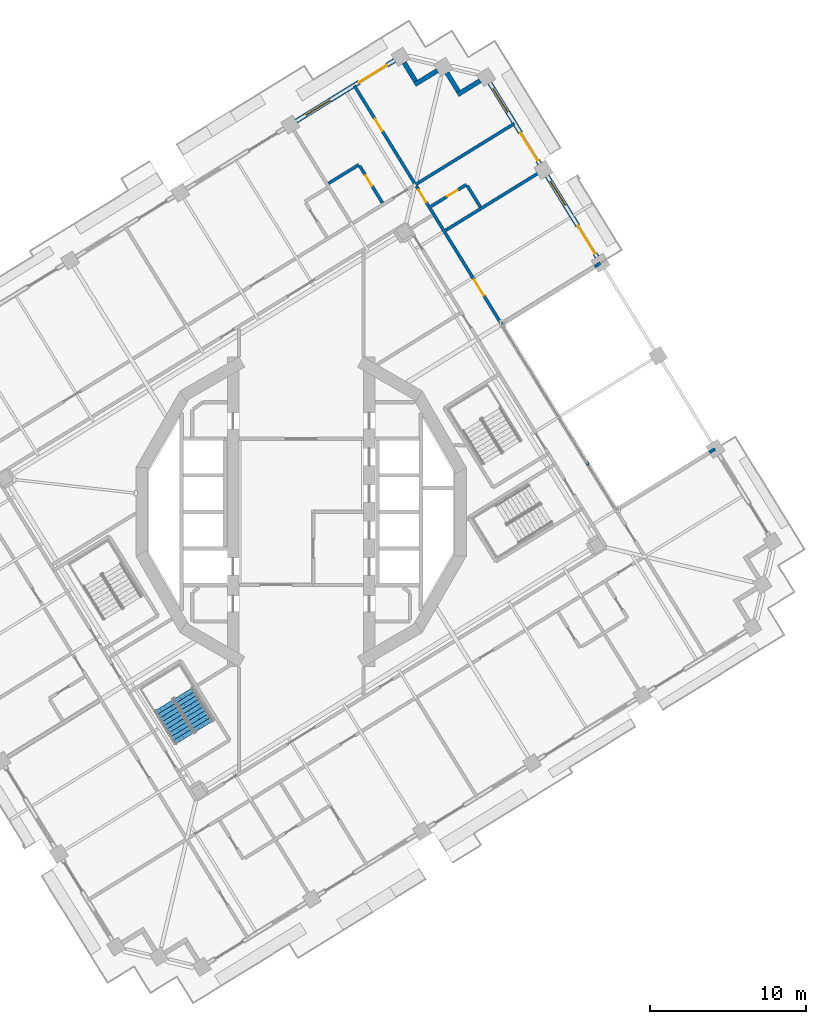
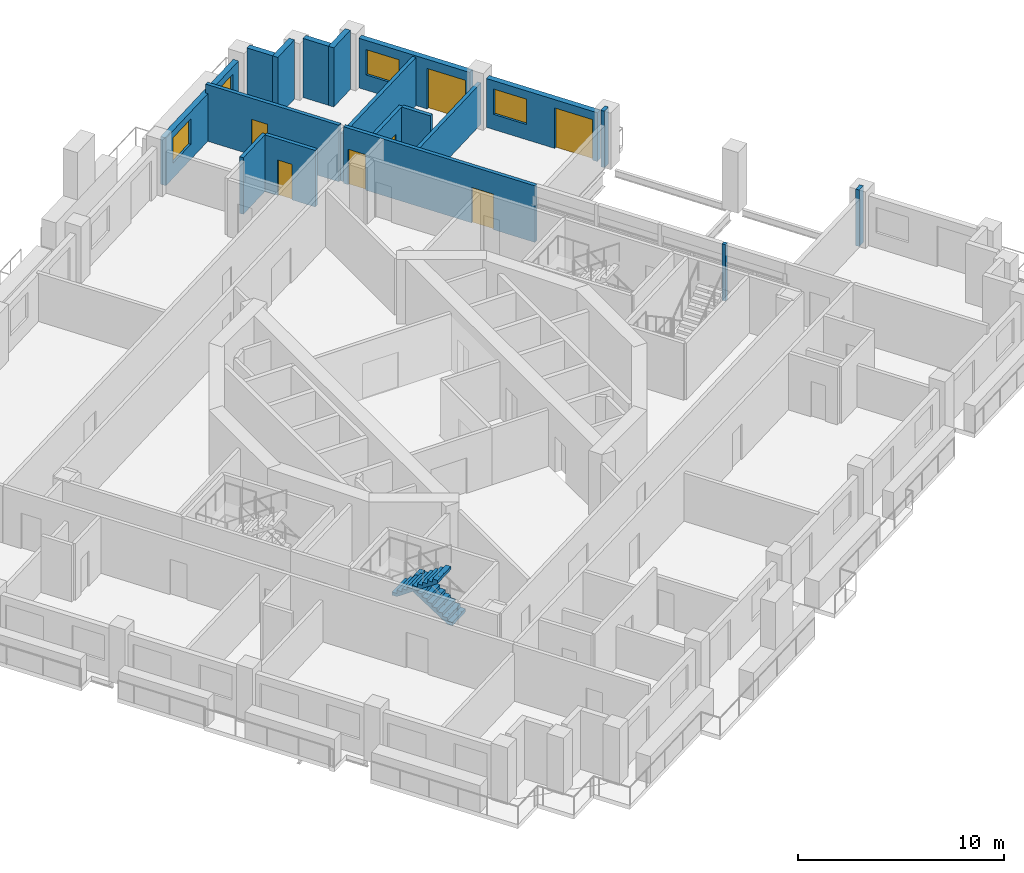
# One storey, part 12 of 21: 18 walls, 8 doors, 3 windows, 2 stair flights, 11 openings, 1 element without a shape of its own.
"""IFC4 building model written with IfcOpenShell, lengths in metres."""

from ifc_helpers import new_model, si_unit, direction, frame, frame_2d, origin, place, context, subcontext, project, spatial, polyline, rectangle, outline, extrude, material, layer, layer_set, type_object, element, fill, aggregate, save


model = new_model("IFC4")

# Units and contexts
model_context = context("Model", 3, precision=1e-05, world=origin(), true_north=direction((0.0, 1.0)))
body_context = subcontext(model_context, "Body", "Model", "MODEL_VIEW")
ifc_project = project(units=[si_unit("LENGTHUNIT", "METRE"), si_unit("AREAUNIT", "SQUARE_METRE"), si_unit("VOLUMEUNIT", "CUBIC_METRE"), si_unit("PLANEANGLEUNIT", "RADIAN"), si_unit("MASSUNIT", "GRAM", prefix="KILO")], contexts=[model_context])

# Site, building, storey
site_placement = place(None, origin())
site = spatial("IfcSite", under=ifc_project, at=site_placement, CompositionType="ELEMENT")
building_placement = place(site_placement, origin())
building = spatial("IfcBuilding", under=site, at=building_placement, Name="Cantera Rosa Tower", CompositionType="ELEMENT")
storey_placement = place(building_placement, frame((0.0, 0.0, 185.60009765625)))
storey = spatial("IfcBuildingStorey", under=building, at=storey_placement, Name="L41", CompositionType="ELEMENT", Elevation=185.60009765625)

# Wall
ifc_material_1 = material(Name="Gypsum board partition")
ifc_layer_1 = layer(ifc_material_1, 0.199951171875)
ifc_layer_set_1 = layer_set([ifc_layer_1], Name="CORRIDOR WALL 200 H3350")
wall_type_1 = type_object("IfcWallType", Name="CORRIDOR WALL 200 H3350", PredefinedType="PARTITIONING", material=ifc_layer_set_1)
wall_1_placement = place(storey_placement, frame((18.460693359375, 3.024658203125, 0.0), z_axis=(0.0, 0.0, 1.0), x_axis=(-0.525921400604, 0.850533174183, 0.0)))
element("IfcWall", 1, at=wall_1_placement, inside=storey, type_object=wall_type_1, Name="CORRIDOR WALL L41-113", PredefinedType="PARTITIONING", context=body_context, shape_type="SweptSolid", body=[
    extrude(rectangle(XDim=0.194091796875, YDim=0.199951171875, at=frame_2d((0.09716796875, 0.0))), origin(), (0.0, 0.0, 1.0), 3.349853515625),
])

# Wall, openings, doors
wall_2_placement = place(storey_placement, frame((12.947265625, 11.963134765625, 0.0), z_axis=(0.0, 0.0, 1.0), x_axis=(-0.524974245297, 0.851118112705, 0.0)))
wall_2 = element("IfcWall", 2, at=wall_2_placement, inside=storey, type_object=wall_type_1, Name="CORRIDOR WALL L41-116", PredefinedType="PARTITIONING", context=body_context, shape_type="SweptSolid", body=[
    extrude(rectangle(XDim=10.545166015625, YDim=0.199951171875, at=frame_2d((5.2724609375, 0.0))), origin(), (0.0, 0.0, 1.0), 3.349853515625),
])
opening_1_placement = place(wall_2_placement, frame((2.284912109375, 0.0, 0.0)))
opening_1 = element("IfcOpeningElement", 3, at=opening_1_placement, cuts=wall_2, Name="Opening L41-020", PredefinedType="OPENING", context=body_context, shape_type="SweptSolid", body=[
    extrude(rectangle(XDim=1.199951171875, YDim=2.10009765625, at=frame_2d((0.60009765625, 1.050048828125))), frame((0.0, 0.10986328125, 0.0), z_axis=(0.0, -1.0, 0.0), x_axis=(1.0, 0.0, 0.0)), (0.0, 0.0, 1.0), 0.219970703125),
])
opening_2_placement = place(wall_2_placement, frame((9.330078125, 0.0, 0.0)))
opening_2 = element("IfcOpeningElement", 4, at=opening_2_placement, cuts=wall_2, Name="Opening L41-021", PredefinedType="OPENING", context=body_context, shape_type="SweptSolid", body=[
    extrude(rectangle(XDim=0.949951171875, YDim=2.10009765625, at=frame_2d((0.47509765625, 1.050048828125))), frame((0.0, 0.10986328125, 0.0), z_axis=(0.0, -1.0, 0.0), x_axis=(1.0, 0.0, 0.0)), (0.0, 0.0, 1.0), 0.219970703125),
])
ifc_material_2 = material(Name="Timber door leaf", Category="wood")
door_type_1 = type_object("IfcDoorType", Name="ROOM DOOR 1200x2100", OperationType="NOTDEFINED", PredefinedType="DOOR", material=ifc_material_2)
door_1_placement = place(opening_1_placement, origin())
door_1 = element("IfcDoor", 5, at=door_1_placement, inside=storey, type_object=door_type_1, Name="DOOR L41-020", OperationType="NOTDEFINED", OverallHeight=2.10009765625, OverallWidth=1.199951171875, PredefinedType="DOOR", context=body_context, shape_type="SweptSolid", body=[
    extrude(rectangle(XDim=1.199951171875, YDim=2.10009765625, at=frame_2d((0.60009765625, 1.050048828125))), frame((0.0, 0.02490234375, 0.0), z_axis=(0.0, -1.0, 0.0), x_axis=(1.0, 0.0, 0.0)), (0.0, 0.0, 1.0), 0.050048828125),
])
fill(opening_1, door_1)
ifc_material_3 = material(Name="Timber door leaf", Category="wood")
door_type_2 = type_object("IfcDoorType", Name="ROOM DOOR 950x2100", OperationType="NOTDEFINED", PredefinedType="DOOR", material=ifc_material_3)
door_2_placement = place(opening_2_placement, origin())
door_2 = element("IfcDoor", 6, at=door_2_placement, inside=storey, type_object=door_type_2, Name="DOOR L41-021", OperationType="NOTDEFINED", OverallHeight=2.10009765625, OverallWidth=0.949951171875, PredefinedType="DOOR", context=body_context, shape_type="SweptSolid", body=[
    extrude(rectangle(XDim=0.949951171875, YDim=2.10009765625, at=frame_2d((0.47509765625, 1.050048828125))), frame((0.0, 0.02490234375, 0.0), z_axis=(0.0, -1.0, 0.0), x_axis=(1.0, 0.0, 0.0)), (0.0, 0.0, 1.0), 0.050048828125),
])
fill(opening_2, door_2)

# Walls
ifc_material_4 = material(Name="Hollow clay masonry with cantera stone cladding", Category="masonry")
ifc_layer_2 = layer(ifc_material_4, 0.300048828125)
ifc_layer_set_2 = layer_set([ifc_layer_2], Name="EW-LOGGIA 300")
wall_type_2 = type_object("IfcWallType", Name="EW-LOGGIA 300", PredefinedType="SOLIDWALL", material=ifc_layer_set_2)
wall_3_placement = place(storey_placement, frame((11.51123046875, 27.72021484375, 0.0), z_axis=(0.0, 0.0, 1.0), x_axis=(-0.851130227454, -0.524954603669, 0.0)))
element("IfcWall", 7, at=wall_3_placement, inside=storey, type_object=wall_type_2, Name="EN-L41-W06a", PredefinedType="SOLIDWALL", context=body_context, shape_type="SweptSolid", body=[
    extrude(rectangle(XDim=1.699951171875, YDim=0.300048828125, at=frame_2d((0.85009765625, 0.0))), origin(), (0.0, 0.0, 1.0), 3.5),
])
wall_4_placement = place(storey_placement, frame((10.11328125, 27.0341796875, 0.0), z_axis=(0.0, 0.0, 1.0), x_axis=(-0.524895019961, 0.85116697423, 0.0)))
element("IfcWall", 8, at=wall_4_placement, inside=storey, type_object=wall_type_2, Name="EN-L41-W06b", PredefinedType="SOLIDWALL", context=body_context, shape_type="SweptSolid", body=[
    extrude(rectangle(XDim=1.39990234375, YDim=0.300048828125, at=frame_2d((0.699951171875, 0.0))), origin(), (0.0, 0.0, 1.0), 3.5),
])
wall_5_placement = place(storey_placement, frame((8.75927734375, 28.37255859375, 0.0), z_axis=(0.0, 0.0, 1.0), x_axis=(-0.851105638601, -0.524994468487, 0.0)))
element("IfcWall", 9, at=wall_5_placement, inside=storey, type_object=wall_type_2, Name="EN-L41-W07a", PredefinedType="SOLIDWALL", context=body_context, shape_type="SweptSolid", body=[
    extrude(rectangle(XDim=1.7001953125, YDim=0.300048828125, at=frame_2d((0.85009765625, 0.0))), origin(), (0.0, 0.0, 1.0), 3.5),
])
wall_6_placement = place(storey_placement, frame((7.361083984375, 27.6865234375, 0.0), z_axis=(0.0, 0.0, 1.0), x_axis=(-0.524895019961, 0.85116697423, 0.0)))
element("IfcWall", 10, at=wall_6_placement, inside=storey, type_object=wall_type_2, Name="EN-L41-W07b", PredefinedType="SOLIDWALL", context=body_context, shape_type="SweptSolid", body=[
    extrude(rectangle(XDim=1.39990234375, YDim=0.300048828125, at=frame_2d((0.699951171875, 0.0))), origin(), (0.0, 0.0, 1.0), 3.5),
])

# Wall, openings, window, door
ifc_material_5 = material(Name="Hollow clay masonry with cantera stone cladding", Category="masonry")
ifc_layer_3 = layer(ifc_material_5, 0.300048828125)
ifc_layer_set_3 = layer_set([ifc_layer_3], Name="EW-LOGGIA 300 H2820")
wall_type_3 = type_object("IfcWallType", Name="EW-LOGGIA 300 H2820", PredefinedType="SOLIDWALL", material=ifc_layer_set_3)
wall_7_placement = place(storey_placement, frame((6.007080078125, 29.02490234375, 0.0), z_axis=(0.0, 0.0, 1.0), x_axis=(-0.851111085575, -0.524985637909, 0.0)))
wall_7 = element("IfcWall", 11, at=wall_7_placement, inside=storey, type_object=wall_type_3, Name="EN-L41-W08", PredefinedType="SOLIDWALL", context=body_context, shape_type="SweptSolid", body=[
    extrude(rectangle(XDim=7.420166015625, YDim=0.300048828125, at=frame_2d((3.7099609375, 0.0))), origin(), (0.0, 0.0, 1.0), 2.81982421875),
])
opening_3_placement = place(wall_7_placement, frame((0.580078125, 0.0, 0.0)))
opening_3 = element("IfcOpeningElement", 12, at=opening_3_placement, cuts=wall_7, Name="Opening L41-TD07", PredefinedType="OPENING", context=body_context, shape_type="SweptSolid", body=[
    extrude(rectangle(XDim=2.10009765625, YDim=2.39990234375, at=frame_2d((1.050048828125, 1.199951171875))), frame((0.0, 0.159912109375, 0.0), z_axis=(0.0, -1.0, 0.0), x_axis=(1.0, 0.0, 0.0)), (0.0, 0.0, 1.0), 0.320068359375),
])
opening_4_placement = place(wall_7_placement, frame((4.889892578125, 0.0, 0.89990234375)))
opening_4 = element("IfcOpeningElement", 13, at=opening_4_placement, cuts=wall_7, Name="Opening L41-W08", PredefinedType="OPENING", context=body_context, shape_type="SweptSolid", body=[
    extrude(rectangle(XDim=1.800048828125, YDim=1.5, at=frame_2d((0.89990234375, 0.75))), frame((0.0, 0.159912109375, 0.0), z_axis=(0.0, -1.0, 0.0), x_axis=(1.0, 0.0, 0.0)), (0.0, 0.0, 1.0), 0.320068359375),
])
ifc_material_6 = material(Name="Aluminium frame with clear glass", Category="aluminium")
window_type = type_object("IfcWindowType", Name="Hotel room window 1800x1500", PartitioningType="DOUBLE_PANEL_VERTICAL", PredefinedType="WINDOW", material=ifc_material_6)
window_1_placement = place(opening_4_placement, origin())
window_1 = element("IfcWindow", 14, at=window_1_placement, inside=storey, type_object=window_type, Name="WINDOW L41-W08", OverallHeight=1.5, OverallWidth=1.800048828125, PartitioningType="SINGLE_PANEL", PredefinedType="WINDOW", context=body_context, shape_type="SweptSolid", body=[
    extrude(rectangle(XDim=1.800048828125, YDim=1.5, at=frame_2d((0.89990234375, 0.75))), frame((0.0, 0.030029296875, 0.0), z_axis=(0.0, -1.0, 0.0), x_axis=(1.0, 0.0, 0.0)), (0.0, 0.0, 1.0), 0.06005859375),
])
fill(opening_4, window_1)
ifc_material_7 = material(Name="Aluminium frame with clear glass", Category="aluminium")
door_type_3 = type_object("IfcDoorType", Name="TD-H 2100x2400", OperationType="NOTDEFINED", PredefinedType="DOOR", material=ifc_material_7)
door_3_placement = place(opening_3_placement, origin())
door_3 = element("IfcDoor", 15, at=door_3_placement, inside=storey, type_object=door_type_3, Name="LOGGIA DOOR L41-TD07", OperationType="SLIDING_TO_LEFT", OverallHeight=2.39990234375, OverallWidth=2.10009765625, PredefinedType="DOOR", context=body_context, shape_type="SweptSolid", body=[
    extrude(rectangle(XDim=2.10009765625, YDim=2.39990234375, at=frame_2d((1.050048828125, 1.199951171875))), frame((0.0, 0.02490234375, 0.0), z_axis=(0.0, -1.0, 0.0), x_axis=(1.0, 0.0, 0.0)), (0.0, 0.0, 1.0), 0.050048828125),
])
fill(opening_3, door_3)

ifc_material_8 = material(Name="Hollow clay masonry with cantera stone cladding", Category="masonry")
ifc_layer_4 = layer(ifc_material_8, 0.300048828125)
ifc_layer_set_4 = layer_set([ifc_layer_4], Name="EW-LOGGIA 300 H2890")
wall_type_4 = type_object("IfcWallType", Name="EW-LOGGIA 300 H2890", PredefinedType="SOLIDWALL", material=ifc_layer_set_4)
wall_8_placement = place(storey_placement, frame((19.02880859375, 16.389892578125, 0.0), z_axis=(0.0, 0.0, 1.0), x_axis=(-0.524987447654, 0.851109969279, 0.0)))
wall_8 = element("IfcWall", 16, at=wall_8_placement, inside=storey, type_object=wall_type_4, Name="EN-L41-W04", PredefinedType="SOLIDWALL", context=body_context, shape_type="SweptSolid", body=[
    extrude(rectangle(XDim=6.119873046875, YDim=0.300048828125, at=frame_2d((3.06005859375, 0.0))), origin(), (0.0, 0.0, 1.0), 2.889892578125),
])
opening_5_placement = place(wall_8_placement, frame((0.2548828125, 0.0, 0.0)))
opening_5 = element("IfcOpeningElement", 17, at=opening_5_placement, cuts=wall_8, Name="Opening L41-TD03", PredefinedType="OPENING", context=body_context, shape_type="SweptSolid", body=[
    extrude(rectangle(XDim=2.10009765625, YDim=2.39990234375, at=frame_2d((1.050048828125, 1.199951171875))), frame((0.0, 0.159912109375, 0.0), z_axis=(0.0, -1.0, 0.0), x_axis=(1.0, 0.0, 0.0)), (0.0, 0.0, 1.0), 0.320068359375),
])
opening_6_placement = place(wall_8_placement, frame((3.9150390625, 0.0, 0.89990234375)))
opening_6 = element("IfcOpeningElement", 18, at=opening_6_placement, cuts=wall_8, Name="Opening L41-W04", PredefinedType="OPENING", context=body_context, shape_type="SweptSolid", body=[
    extrude(rectangle(XDim=1.800048828125, YDim=1.5, at=frame_2d((0.89990234375, 0.75))), frame((0.0, 0.159912109375, 0.0), z_axis=(0.0, -1.0, 0.0), x_axis=(1.0, 0.0, 0.0)), (0.0, 0.0, 1.0), 0.320068359375),
])
window_2_placement = place(opening_6_placement, origin())
window_2 = element("IfcWindow", 19, at=window_2_placement, inside=storey, type_object=window_type, Name="WINDOW L41-W04", OverallHeight=1.5, OverallWidth=1.800048828125, PartitioningType="SINGLE_PANEL", PredefinedType="WINDOW", context=body_context, shape_type="SweptSolid", body=[
    extrude(rectangle(XDim=1.800048828125, YDim=1.5, at=frame_2d((0.89990234375, 0.75))), frame((0.0, 0.030029296875, 0.0), z_axis=(0.0, -1.0, 0.0), x_axis=(1.0, 0.0, 0.0)), (0.0, 0.0, 1.0), 0.06005859375),
])
fill(opening_6, window_2)
door_4_placement = place(opening_5_placement, origin())
door_4 = element("IfcDoor", 20, at=door_4_placement, inside=storey, type_object=door_type_3, Name="LOGGIA DOOR L41-TD03", OperationType="SLIDING_TO_LEFT", OverallHeight=2.39990234375, OverallWidth=2.10009765625, PredefinedType="DOOR", context=body_context, shape_type="SweptSolid", body=[
    extrude(rectangle(XDim=2.10009765625, YDim=2.39990234375, at=frame_2d((1.050048828125, 1.199951171875))), frame((0.0, 0.02490234375, 0.0), z_axis=(0.0, -1.0, 0.0), x_axis=(1.0, 0.0, 0.0)), (0.0, 0.0, 1.0), 0.050048828125),
])
fill(opening_5, door_4)

ifc_material_9 = material(Name="Hollow clay masonry with cantera stone cladding", Category="masonry")
ifc_layer_5 = layer(ifc_material_9, 0.300048828125)
ifc_layer_set_5 = layer_set([ifc_layer_5], Name="EW-LOGGIA 300 H2940")
wall_type_5 = type_object("IfcWallType", Name="EW-LOGGIA 300 H2940", PredefinedType="SOLIDWALL", material=ifc_layer_set_5)
wall_9_placement = place(storey_placement, frame((15.343505859375, 22.36474609375, 0.0), z_axis=(0.0, 0.0, 1.0), x_axis=(-0.524987447654, 0.851109969279, 0.0)))
wall_9 = element("IfcWall", 21, at=wall_9_placement, inside=storey, type_object=wall_type_5, Name="EN-L41-W05", PredefinedType="SOLIDWALL", context=body_context, shape_type="SweptSolid", body=[
    extrude(rectangle(XDim=6.119873046875, YDim=0.300048828125, at=frame_2d((3.06005859375, 0.0))), origin(), (0.0, 0.0, 1.0), 2.93994140625),
])
opening_7_placement = place(wall_9_placement, frame((0.2548828125, 0.0, 0.0)))
opening_7 = element("IfcOpeningElement", 22, at=opening_7_placement, cuts=wall_9, Name="Opening L41-TD05", PredefinedType="OPENING", context=body_context, shape_type="SweptSolid", body=[
    extrude(rectangle(XDim=2.10009765625, YDim=2.39990234375, at=frame_2d((1.050048828125, 1.199951171875))), frame((0.0, 0.159912109375, 0.0), z_axis=(0.0, -1.0, 0.0), x_axis=(1.0, 0.0, 0.0)), (0.0, 0.0, 1.0), 0.320068359375),
])
opening_8_placement = place(wall_9_placement, frame((3.9150390625, 0.0, 0.89990234375)))
opening_8 = element("IfcOpeningElement", 23, at=opening_8_placement, cuts=wall_9, Name="Opening L41-W06", PredefinedType="OPENING", context=body_context, shape_type="SweptSolid", body=[
    extrude(rectangle(XDim=1.800048828125, YDim=1.5, at=frame_2d((0.89990234375, 0.75))), frame((0.0, 0.159912109375, 0.0), z_axis=(0.0, -1.0, 0.0), x_axis=(1.0, 0.0, 0.0)), (0.0, 0.0, 1.0), 0.320068359375),
])
window_3_placement = place(opening_8_placement, origin())
window_3 = element("IfcWindow", 24, at=window_3_placement, inside=storey, type_object=window_type, Name="WINDOW L41-W06", OverallHeight=1.5, OverallWidth=1.800048828125, PartitioningType="SINGLE_PANEL", PredefinedType="WINDOW", context=body_context, shape_type="SweptSolid", body=[
    extrude(rectangle(XDim=1.800048828125, YDim=1.5, at=frame_2d((0.89990234375, 0.75))), frame((0.0, 0.030029296875, 0.0), z_axis=(0.0, -1.0, 0.0), x_axis=(1.0, 0.0, 0.0)), (0.0, 0.0, 1.0), 0.06005859375),
])
fill(opening_8, window_3)
door_5_placement = place(opening_7_placement, origin())
door_5 = element("IfcDoor", 25, at=door_5_placement, inside=storey, type_object=door_type_3, Name="LOGGIA DOOR L41-TD05", OperationType="SLIDING_TO_LEFT", OverallHeight=2.39990234375, OverallWidth=2.10009765625, PredefinedType="DOOR", context=body_context, shape_type="SweptSolid", body=[
    extrude(rectangle(XDim=2.10009765625, YDim=2.39990234375, at=frame_2d((1.050048828125, 1.199951171875))), frame((0.0, 0.02490234375, 0.0), z_axis=(0.0, -1.0, 0.0), x_axis=(1.0, 0.0, 0.0)), (0.0, 0.0, 1.0), 0.050048828125),
])
fill(opening_7, door_5)

# Wall
ifc_material_10 = material(Name="Gypsum board partition")
ifc_layer_6 = layer(ifc_material_10, 0.199951171875)
ifc_layer_set_6 = layer_set([ifc_layer_6], Name="PARTITION 200 H3350")
wall_type_6 = type_object("IfcWallType", Name="PARTITION 200 H3350", PredefinedType="PARTITIONING", material=ifc_layer_set_6)
wall_10_placement = place(storey_placement, frame((1.756103515625, 21.11572265625, 0.0), z_axis=(0.0, 0.0, 1.0), x_axis=(0.851125818006, 0.524961752819, 0.0)))
element("IfcWall", 26, at=wall_10_placement, inside=storey, type_object=wall_type_6, Name="PARTITION L41-060", PredefinedType="PARTITIONING", context=body_context, shape_type="SweptSolid", body=[
    extrude(rectangle(XDim=2.30029296875, YDim=0.199951171875, at=frame_2d((1.150146484375, 0.0))), origin(), (0.0, 0.0, 1.0), 3.349853515625),
])

# Wall, opening, door
wall_11_placement = place(storey_placement, frame((3.766357421875, 22.238037109375, 0.0), z_axis=(0.0, 0.0, 1.0), x_axis=(0.524944908618, -0.851136207029, 0.0)))
wall_11 = element("IfcWall", 27, at=wall_11_placement, inside=storey, type_object=wall_type_6, Name="PARTITION L41-063", PredefinedType="PARTITIONING", context=body_context, shape_type="SweptSolid", body=[
    extrude(rectangle(XDim=2.77978515625, YDim=0.199951171875, at=frame_2d((1.389892578125, 0.0))), origin(), (0.0, 0.0, 1.0), 3.349853515625),
])
opening_9_placement = place(wall_11_placement, frame((0.699951171875, 0.0, 0.0)))
opening_9 = element("IfcOpeningElement", 28, at=opening_9_placement, cuts=wall_11, Name="Opening L41-028", PredefinedType="OPENING", context=body_context, shape_type="SweptSolid", body=[
    extrude(rectangle(XDim=0.800048828125, YDim=2.10009765625, at=frame_2d((0.39990234375, 1.050048828125))), frame((0.0, 0.10986328125, 0.0), z_axis=(0.0, -1.0, 0.0), x_axis=(1.0, 0.0, 0.0)), (0.0, 0.0, 1.0), 0.219970703125),
])
ifc_material_11 = material(Name="Timber door leaf", Category="wood")
door_type_4 = type_object("IfcDoorType", Name="BATHROOM DOOR 800x2100", OperationType="NOTDEFINED", PredefinedType="DOOR", material=ifc_material_11)
door_6_placement = place(opening_9_placement, origin())
door_6 = element("IfcDoor", 29, at=door_6_placement, inside=storey, type_object=door_type_4, Name="DOOR L41-028", OperationType="NOTDEFINED", OverallHeight=2.10009765625, OverallWidth=0.800048828125, PredefinedType="DOOR", context=body_context, shape_type="SweptSolid", body=[
    extrude(rectangle(XDim=0.800048828125, YDim=2.10009765625, at=frame_2d((0.39990234375, 1.050048828125))), frame((0.0, 0.02490234375, 0.0), z_axis=(0.0, -1.0, 0.0), x_axis=(1.0, 0.0, 0.0)), (0.0, 0.0, 1.0), 0.050048828125),
])
fill(opening_9, door_6)

wall_12_placement = place(storey_placement, frame((7.285400390625, 21.142333984375, 0.0), z_axis=(0.0, 0.0, 1.0), x_axis=(-0.524973728225, 0.851118431638, 0.0)))
wall_12 = element("IfcWall", 30, at=wall_12_placement, inside=storey, type_object=wall_type_6, Name="PARTITION L41-080", PredefinedType="PARTITIONING", context=body_context, shape_type="SweptSolid", body=[
    extrude(rectangle(XDim=7.35009765625, YDim=0.199951171875, at=frame_2d((3.675048828125, 0.0))), origin(), (0.0, 0.0, 1.0), 3.349853515625),
])
opening_10_placement = place(wall_12_placement, frame((3.929931640625, 0.0, 0.0)))
opening_10 = element("IfcOpeningElement", 31, at=opening_10_placement, cuts=wall_12, Name="Opening L41-029", PredefinedType="OPENING", context=body_context, shape_type="SweptSolid", body=[
    extrude(rectangle(XDim=0.89990234375, YDim=2.10009765625, at=frame_2d((0.449951171875, 1.050048828125))), frame((0.0, 0.10986328125, 0.0), z_axis=(0.0, -1.0, 0.0), x_axis=(1.0, 0.0, 0.0)), (0.0, 0.0, 1.0), 0.219970703125),
])
ifc_material_12 = material(Name="Timber door leaf", Category="wood")
door_type_5 = type_object("IfcDoorType", Name="ROOM DOOR 900x2100", OperationType="NOTDEFINED", PredefinedType="DOOR", material=ifc_material_12)
door_7_placement = place(opening_10_placement, origin())
door_7 = element("IfcDoor", 32, at=door_7_placement, inside=storey, type_object=door_type_5, Name="DOOR L41-029", OperationType="NOTDEFINED", OverallHeight=2.10009765625, OverallWidth=0.89990234375, PredefinedType="DOOR", context=body_context, shape_type="SweptSolid", body=[
    extrude(rectangle(XDim=0.89990234375, YDim=2.10009765625, at=frame_2d((0.449951171875, 1.050048828125))), frame((0.0, 0.02490234375, 0.0), z_axis=(0.0, -1.0, 0.0), x_axis=(1.0, 0.0, 0.0)), (0.0, 0.0, 1.0), 0.050048828125),
])
fill(opening_10, door_7)

wall_13_placement = place(storey_placement, frame((8.353515625, 19.639404296875, 0.0), z_axis=(0.0, 0.0, 1.0), x_axis=(0.851110493934, 0.524986597082, 0.0)))
wall_13 = element("IfcWall", 33, at=wall_13_placement, inside=storey, type_object=wall_type_6, Name="PARTITION L41-088", PredefinedType="PARTITIONING", context=body_context, shape_type="SweptSolid", body=[
    extrude(rectangle(XDim=2.679931640625, YDim=0.199951171875, at=frame_2d((1.33984375, 0.0))), origin(), (0.0, 0.0, 1.0), 3.349853515625),
])
opening_11_placement = place(wall_13_placement, frame((1.216064453125, 0.0, 0.0)))
opening_11 = element("IfcOpeningElement", 34, at=opening_11_placement, cuts=wall_13, Name="Opening L41-022", PredefinedType="OPENING", context=body_context, shape_type="SweptSolid", body=[
    extrude(rectangle(XDim=0.800048828125, YDim=2.10009765625, at=frame_2d((0.39990234375, 1.050048828125))), frame((0.0, 0.10986328125, 0.0), z_axis=(0.0, -1.0, 0.0), x_axis=(1.0, 0.0, 0.0)), (0.0, 0.0, 1.0), 0.219970703125),
])
door_8_placement = place(opening_11_placement, origin())
door_8 = element("IfcDoor", 35, at=door_8_placement, inside=storey, type_object=door_type_4, Name="DOOR L41-022", OperationType="NOTDEFINED", OverallHeight=2.10009765625, OverallWidth=0.800048828125, PredefinedType="DOOR", context=body_context, shape_type="SweptSolid", body=[
    extrude(rectangle(XDim=0.800048828125, YDim=2.10009765625, at=frame_2d((0.39990234375, 1.050048828125))), frame((0.0, 0.02490234375, 0.0), z_axis=(0.0, -1.0, 0.0), x_axis=(1.0, 0.0, 0.0)), (0.0, 0.0, 1.0), 0.050048828125),
])
fill(opening_11, door_8)

# Walls
wall_14_placement = place(storey_placement, frame((10.68701171875, 20.961181640625, 0.0), z_axis=(0.0, 0.0, 1.0), x_axis=(0.52493348414, -0.851143253059, 0.0)))
element("IfcWall", 36, at=wall_14_placement, inside=storey, type_object=wall_type_6, Name="PARTITION L41-092", PredefinedType="PARTITIONING", context=body_context, shape_type="SweptSolid", body=[
    extrude(rectangle(XDim=1.579833984375, YDim=0.199951171875, at=frame_2d((0.7900390625, 0.0))), origin(), (0.0, 0.0, 1.0), 3.349853515625),
])
for number, where, z_axis, x_axis, name in (
    (37, (19.239501953125, 15.9912109375, 0.0), (0.0, 0.0, 1.0), (-0.85085913097, -0.525393889615, 0.0), "PARTITION L41-107"),
    (38, (26.252685546875, 3.82080078125, 0.0), (0.0, 0.0, 1.0), (0.85085913097, 0.525393889615, 0.0), "PARTITION L41-110"),
):
    element("IfcWall", number, at=place(storey_placement, frame(where, z_axis=z_axis, x_axis=x_axis)), inside=storey, type_object=wall_type_6, Name=name, PredefinedType="PARTITIONING", context=body_context, shape_type="SweptSolid", body=[
        extrude(rectangle(XDim=0.420166015625, YDim=0.199951171875, at=frame_2d((0.2099609375, 0.0))), origin(), (0.0, 0.0, 1.0), 3.349853515625),
    ])
ifc_material_13 = material(Name="Gypsum board partition")
ifc_layer_7 = layer(ifc_material_13, 0.199951171875)
ifc_layer_set_7 = layer_set([ifc_layer_7], Name="PARTY WALL 200 H2450")
wall_type_7 = type_object("IfcWallType", Name="PARTY WALL 200 H2450", PredefinedType="PARTITIONING", material=ifc_layer_set_7)
wall_15_placement = place(storey_placement, frame((9.29833984375, 18.107421875, 0.0), z_axis=(0.0, 0.0, 1.0), x_axis=(0.851133272812, 0.524949666075, 0.0)))
element("IfcWall", 39, at=wall_15_placement, inside=storey, type_object=wall_type_7, Name="PARTY WALL L41-090", PredefinedType="PARTITIONING", context=body_context, shape_type="SweptSolid", body=[
    extrude(rectangle(XDim=7.35009765625, YDim=0.199951171875, at=frame_2d((3.675048828125, 0.0))), origin(), (0.0, 0.0, 1.0), 2.449951171875),
])
ifc_material_14 = material(Name="Gypsum board partition")
ifc_layer_8 = layer(ifc_material_14, 0.199951171875)
ifc_layer_set_8 = layer_set([ifc_layer_8], Name="PARTY WALL 200 H2850")
wall_type_8 = type_object("IfcWallType", Name="PARTY WALL 200 H2850", PredefinedType="PARTITIONING", material=ifc_layer_set_8)
wall_16_placement = place(storey_placement, frame((7.365478515625, 21.05078125, 0.0), z_axis=(0.0, 0.0, 1.0), x_axis=(0.851113277303, 0.524982084645, 0.0)))
element("IfcWall", 40, at=wall_16_placement, inside=storey, type_object=wall_type_8, Name="PARTY WALL L41-081", PredefinedType="PARTITIONING", context=body_context, shape_type="SweptSolid", body=[
    extrude(rectangle(XDim=7.449951171875, YDim=0.199951171875, at=frame_2d((3.72509765625, 0.0))), origin(), (0.0, 0.0, 1.0), 2.849853515625),
])

# Stair, stair flights
ifc_material_15 = material(Name="Concrete C35/45", Category="concrete")
stair_type = type_object("IfcStairType", Name="EXIT STAIR 1350 DOGLEG", PredefinedType="HALF_TURN_STAIR", material=ifc_material_15)
stair_placement = place(storey_placement, origin())
stair = element("IfcStair", 41, at=stair_placement, inside=storey, type_object=stair_type, Name="L41 ST-33", PredefinedType="HALF_TURN_STAIR")
ifc_material_16 = material(Name="Concrete C35/45", Category="concrete")
stair_flight_type = type_object("IfcStairFlightType", Name="STAIR FLIGHT 1350 R20x190", PredefinedType="STRAIGHT", material=ifc_material_16)
stair_flight_1_placement = place(storey_placement, frame((-6.226806640625, -13.7978515625, 0.0), z_axis=(0.0, 0.0, 1.0), x_axis=(-0.524976585286, 0.851116669383, 0.0)))
stair_flight_1 = element("IfcStairFlight", 42, at=stair_flight_1_placement, type_object=stair_flight_type, Name="ST-33 flight 1", NumberOfRisers=10, NumberOfTreads=9, PredefinedType="STRAIGHT", RiserHeight=0.19, TreadLength=0.28, context=body_context, shape_type="SweptSolid", body=[
    extrude(outline(polyline([(0.0, 0.0), (0.0, 0.18994140625), (0.280029296875, 0.18994140625), (0.280029296875, 0.3798828125), (0.56005859375, 0.3798828125), (0.56005859375, 0.570068359375), (0.840087890625, 0.570068359375), (0.840087890625, 0.760009765625), (1.1201171875, 0.760009765625), (1.1201171875, 0.949951171875), (1.39990234375, 0.949951171875), (1.39990234375, 1.139892578125), (1.679931640625, 1.139892578125), (1.679931640625, 1.330078125), (1.9599609375, 1.330078125), (1.9599609375, 1.52001953125), (2.239990234375, 1.52001953125), (2.239990234375, 1.7099609375), (2.52001953125, 1.7099609375), (2.52001953125, 1.89990234375), (2.52001953125, 1.52880859375), (0.266845703125, 0.0), (0.0, 0.0)])), frame((0.0, 0.675048828125, 0.0), z_axis=(0.0, -1.0, 0.0), x_axis=(1.0, 0.0, 0.0)), (0.0, 0.0, 1.0), 0.3359375),
    extrude(outline(polyline([(0.0, 0.0), (0.0, 0.18994140625), (0.280029296875, 0.18994140625), (0.280029296875, 0.3798828125), (0.56005859375, 0.3798828125), (0.56005859375, 0.570068359375), (0.840087890625, 0.570068359375), (0.840087890625, 0.760009765625), (1.1201171875, 0.760009765625), (1.1201171875, 0.949951171875), (1.39990234375, 0.949951171875), (1.39990234375, 1.139892578125), (1.679931640625, 1.139892578125), (1.679931640625, 1.330078125), (1.9599609375, 1.330078125), (1.9599609375, 1.52001953125), (2.239990234375, 1.52001953125), (2.239990234375, 1.7099609375), (2.52001953125, 1.7099609375), (2.52001953125, 1.89990234375), (2.52001953125, 1.52880859375), (0.266845703125, 0.0), (0.0, 0.0)])), frame((0.0, 0.337158203125, 0.0), z_axis=(0.0, -1.0, 0.0), x_axis=(1.0, 0.0, 0.0)), (0.0, 0.0, 1.0), 0.3359375),
    extrude(outline(polyline([(0.0, 0.0), (0.0, 0.18994140625), (0.280029296875, 0.18994140625), (0.280029296875, 0.3798828125), (0.56005859375, 0.3798828125), (0.56005859375, 0.570068359375), (0.840087890625, 0.570068359375), (0.840087890625, 0.760009765625), (1.1201171875, 0.760009765625), (1.1201171875, 0.949951171875), (1.39990234375, 0.949951171875), (1.39990234375, 1.139892578125), (1.679931640625, 1.139892578125), (1.679931640625, 1.330078125), (1.9599609375, 1.330078125), (1.9599609375, 1.52001953125), (2.239990234375, 1.52001953125), (2.239990234375, 1.7099609375), (2.52001953125, 1.7099609375), (2.52001953125, 1.89990234375), (2.52001953125, 1.52880859375), (0.266845703125, 0.0), (0.0, 0.0)])), frame((0.0, -0.000732421875, 0.0), z_axis=(0.0, -1.0, 0.0), x_axis=(1.0, 0.0, 0.0)), (0.0, 0.0, 1.0), 0.3359375),
    extrude(outline(polyline([(0.0, 0.0), (0.0, 0.18994140625), (0.280029296875, 0.18994140625), (0.280029296875, 0.3798828125), (0.56005859375, 0.3798828125), (0.56005859375, 0.570068359375), (0.840087890625, 0.570068359375), (0.840087890625, 0.760009765625), (1.1201171875, 0.760009765625), (1.1201171875, 0.949951171875), (1.39990234375, 0.949951171875), (1.39990234375, 1.139892578125), (1.679931640625, 1.139892578125), (1.679931640625, 1.330078125), (1.9599609375, 1.330078125), (1.9599609375, 1.52001953125), (2.239990234375, 1.52001953125), (2.239990234375, 1.7099609375), (2.52001953125, 1.7099609375), (2.52001953125, 1.89990234375), (2.52001953125, 1.52880859375), (0.266845703125, 0.0), (0.0, 0.0)])), frame((0.0, -0.338623046875, 0.0), z_axis=(0.0, -1.0, 0.0), x_axis=(1.0, 0.0, 0.0)), (0.0, 0.0, 1.0), 0.3359375),
])
stair_flight_2_placement = place(storey_placement, frame((-8.826416015625, -12.4404296875, 1.89990234375), z_axis=(0.0, 0.0, 1.0), x_axis=(0.524976585286, -0.851116669383, 0.0)))
stair_flight_2 = element("IfcStairFlight", 43, at=stair_flight_2_placement, type_object=stair_flight_type, Name="ST-33 flight 2", NumberOfRisers=10, NumberOfTreads=9, PredefinedType="STRAIGHT", RiserHeight=0.19, TreadLength=0.28, context=body_context, shape_type="SweptSolid", body=[
    extrude(outline(polyline([(0.0, 0.0), (0.0, 0.18994140625), (0.280029296875, 0.18994140625), (0.280029296875, 0.3798828125), (0.56005859375, 0.3798828125), (0.56005859375, 0.570068359375), (0.840087890625, 0.570068359375), (0.840087890625, 0.760009765625), (1.1201171875, 0.760009765625), (1.1201171875, 0.949951171875), (1.39990234375, 0.949951171875), (1.39990234375, 1.139892578125), (1.679931640625, 1.139892578125), (1.679931640625, 1.330078125), (1.9599609375, 1.330078125), (1.9599609375, 1.52001953125), (2.239990234375, 1.52001953125), (2.239990234375, 1.7099609375), (2.52001953125, 1.7099609375), (2.52001953125, 1.89990234375), (2.52001953125, 1.52880859375), (0.266845703125, 0.0), (0.0, 0.0)])), frame((0.0, 0.675048828125, 0.0), z_axis=(0.0, -1.0, 0.0), x_axis=(1.0, 0.0, 0.0)), (0.0, 0.0, 1.0), 0.3359375),
    extrude(outline(polyline([(0.0, 0.0), (0.0, 0.18994140625), (0.280029296875, 0.18994140625), (0.280029296875, 0.3798828125), (0.56005859375, 0.3798828125), (0.56005859375, 0.570068359375), (0.840087890625, 0.570068359375), (0.840087890625, 0.760009765625), (1.1201171875, 0.760009765625), (1.1201171875, 0.949951171875), (1.39990234375, 0.949951171875), (1.39990234375, 1.139892578125), (1.679931640625, 1.139892578125), (1.679931640625, 1.330078125), (1.9599609375, 1.330078125), (1.9599609375, 1.52001953125), (2.239990234375, 1.52001953125), (2.239990234375, 1.7099609375), (2.52001953125, 1.7099609375), (2.52001953125, 1.89990234375), (2.52001953125, 1.52880859375), (0.266845703125, 0.0), (0.0, 0.0)])), frame((0.0, 0.337158203125, 0.0), z_axis=(0.0, -1.0, 0.0), x_axis=(1.0, 0.0, 0.0)), (0.0, 0.0, 1.0), 0.3359375),
    extrude(outline(polyline([(0.0, 0.0), (0.0, 0.18994140625), (0.280029296875, 0.18994140625), (0.280029296875, 0.3798828125), (0.56005859375, 0.3798828125), (0.56005859375, 0.570068359375), (0.840087890625, 0.570068359375), (0.840087890625, 0.760009765625), (1.1201171875, 0.760009765625), (1.1201171875, 0.949951171875), (1.39990234375, 0.949951171875), (1.39990234375, 1.139892578125), (1.679931640625, 1.139892578125), (1.679931640625, 1.330078125), (1.9599609375, 1.330078125), (1.9599609375, 1.52001953125), (2.239990234375, 1.52001953125), (2.239990234375, 1.7099609375), (2.52001953125, 1.7099609375), (2.52001953125, 1.89990234375), (2.52001953125, 1.52880859375), (0.266845703125, 0.0), (0.0, 0.0)])), frame((0.0, -0.000732421875, 0.0), z_axis=(0.0, -1.0, 0.0), x_axis=(1.0, 0.0, 0.0)), (0.0, 0.0, 1.0), 0.3359375),
    extrude(outline(polyline([(0.0, 0.0), (0.0, 0.18994140625), (0.280029296875, 0.18994140625), (0.280029296875, 0.3798828125), (0.56005859375, 0.3798828125), (0.56005859375, 0.570068359375), (0.840087890625, 0.570068359375), (0.840087890625, 0.760009765625), (1.1201171875, 0.760009765625), (1.1201171875, 0.949951171875), (1.39990234375, 0.949951171875), (1.39990234375, 1.139892578125), (1.679931640625, 1.139892578125), (1.679931640625, 1.330078125), (1.9599609375, 1.330078125), (1.9599609375, 1.52001953125), (2.239990234375, 1.52001953125), (2.239990234375, 1.7099609375), (2.52001953125, 1.7099609375), (2.52001953125, 1.89990234375), (2.52001953125, 1.52880859375), (0.266845703125, 0.0), (0.0, 0.0)])), frame((0.0, -0.338623046875, 0.0), z_axis=(0.0, -1.0, 0.0), x_axis=(1.0, 0.0, 0.0)), (0.0, 0.0, 1.0), 0.3359375),
])
aggregate(stair, [stair_flight_1, stair_flight_2])

save(model, "model.ifc")
